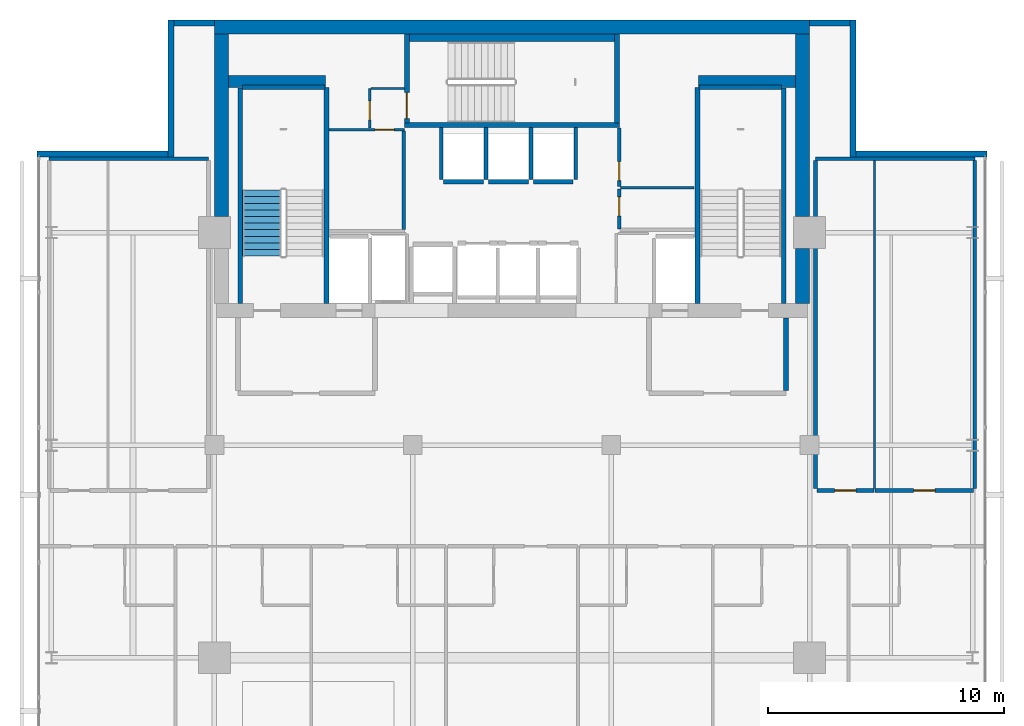
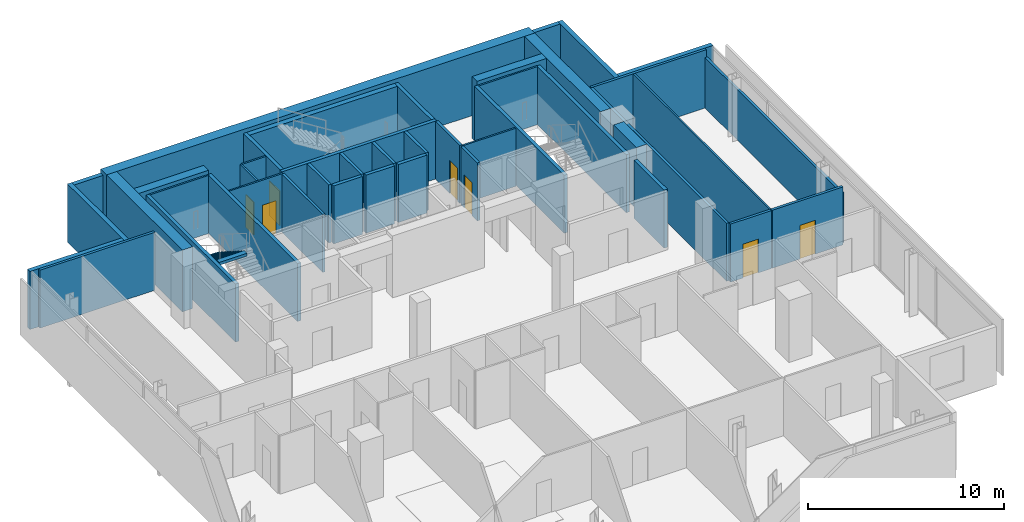
# One storey, part 19 of 24: 44 walls, 7 doors, 1 stair flight, 7 openings, 1 element without a shape of its own.
"""IFC4 building model written with IfcOpenShell, lengths in metres."""

from ifc_helpers import new_model, si_unit, direction, frame, frame_2d, origin, place, context, subcontext, project, spatial, polyline, rectangle, outline, extrude, material, layer, layer_set, type_object, element, fill, aggregate, save


model = new_model("IFC4")

# Units and contexts
model_context = context("Model", 3, precision=1e-05, world=origin(), true_north=direction((0.0, 1.0)))
body_context = subcontext(model_context, "Body", "Model", "MODEL_VIEW")
ifc_project = project(units=[si_unit("LENGTHUNIT", "METRE"), si_unit("AREAUNIT", "SQUARE_METRE"), si_unit("VOLUMEUNIT", "CUBIC_METRE"), si_unit("PLANEANGLEUNIT", "RADIAN"), si_unit("MASSUNIT", "GRAM", prefix="KILO")], contexts=[model_context])

# Site, building, storey
site_placement = place(None, origin())
site = spatial("IfcSite", under=ifc_project, at=site_placement, CompositionType="ELEMENT")
building_placement = place(site_placement, origin())
building = spatial("IfcBuilding", under=site, at=building_placement, Name="Maruvema Waterfront Hotel and Observation Tower", CompositionType="ELEMENT")
storey_placement = place(building_placement, frame((0.0, 0.0, 333.550048828125)))
storey = spatial("IfcBuildingStorey", under=building, at=storey_placement, Name="L82", CompositionType="ELEMENT", Elevation=333.550048828125)

# Wall
ifc_material_1 = material(Name="Twin-stud acoustic gypsum drywall", Category="gypsum")
ifc_layer_1 = layer(ifc_material_1, 0.14990234375, Name="Acoustic Corridor and Suite Demising Wall 150 mm")
ifc_layer_set_1 = layer_set([ifc_layer_1], Name="Twin-stud acoustic gypsum drywall")
wall_type_1 = type_object("IfcWallType", Name="Acoustic Corridor and Suite Demising Wall 150 mm", PredefinedType="PARTITIONING", material=ifc_layer_set_1)
wall_1_placement = place(storey_placement, frame((33.219970703125, 45.139892578125, 0.0), z_axis=(0.0, 0.0, 1.0), x_axis=(0.0, 1.0, 0.0)))
element("IfcWall", 1, at=wall_1_placement, inside=storey, type_object=wall_type_1, Name="L82 Freed B1 East Wall 013", PredefinedType="PARTITIONING", context=body_context, shape_type="SweptSolid", body=[
    extrude(rectangle(XDim=4.16015625, YDim=0.14990234375, at=frame_2d((2.080078125, 0.0))), origin(), (0.0, 0.0, 1.0), 3.60986328125),
])

# Wall, opening, door
wall_2_placement = place(storey_placement, frame((42.340087890625, 45.159912109375, 0.0), z_axis=(0.0, 0.0, 1.0), x_axis=(0.0, 1.0, 0.0)))
wall_2 = element("IfcWall", 2, at=wall_2_placement, inside=storey, type_object=wall_type_1, Name="L82 Freed B2 West S 017", PredefinedType="PARTITIONING", context=body_context, shape_type="SweptSolid", body=[
    extrude(rectangle(XDim=1.68017578125, YDim=0.14990234375, at=frame_2d((0.840087890625, 0.0))), origin(), (0.0, 0.0, 1.0), 3.60986328125),
])
opening_1_placement = place(wall_2_placement, frame((0.550048828125, 0.0, 0.0)))
opening_1 = element("IfcOpeningElement", 3, at=opening_1_placement, cuts=wall_2, Name="Opening DR-080", PredefinedType="OPENING", context=body_context, shape_type="SweptSolid", body=[
    extrude(rectangle(XDim=0.800048828125, YDim=2.050048828125, at=frame_2d((0.39990234375, 1.02490234375))), frame((0.0, 0.0849609375, 0.0), z_axis=(0.0, -1.0, 0.0), x_axis=(1.0, 0.0, 0.0)), (0.0, 0.0, 1.0), 0.169921875),
])
ifc_material_2 = material(Name="Powder-coated steel access leaf", Category="steel")
door_type_1 = type_object("IfcDoorType", Name="Riser and Service Cupboard Door 800x2050 mm", OperationType="NOTDEFINED", PredefinedType="DOOR", material=ifc_material_2)
door_1_placement = place(opening_1_placement, frame((0.800048828125, 0.0, 0.0), z_axis=(0.0, 0.0, 1.0), x_axis=(-1.0, 0.0, 0.0)))
door_1 = element("IfcDoor", 4, at=door_1_placement, inside=storey, type_object=door_type_1, Name="L82 Butler Service Pantry Door", OperationType="SINGLE_SWING_RIGHT", OverallHeight=2.050048828125, OverallWidth=0.800048828125, PredefinedType="DOOR", context=body_context, shape_type="SweptSolid", body=[
    extrude(rectangle(XDim=0.800048828125, YDim=2.050048828125, at=frame_2d((0.39990234375, 1.02490234375))), frame((0.0, 0.02490234375, 0.0), z_axis=(0.0, -1.0, 0.0), x_axis=(1.0, 0.0, 0.0)), (0.0, 0.0, 1.0), 0.050048828125),
])
fill(opening_1, door_1)

wall_3_placement = place(storey_placement, frame((42.340087890625, 46.9599609375, 0.0), z_axis=(0.0, 0.0, 1.0), x_axis=(0.0, 1.0, 0.0)))
wall_3 = element("IfcWall", 5, at=wall_3_placement, inside=storey, type_object=wall_type_1, Name="L82 Freed B2 West N 018", PredefinedType="PARTITIONING", context=body_context, shape_type="SweptSolid", body=[
    extrude(rectangle(XDim=2.4599609375, YDim=0.14990234375, at=frame_2d((1.22998046875, 0.0))), origin(), (0.0, 0.0, 1.0), 3.60986328125),
])
opening_2_placement = place(wall_3_placement, frame((0.239990234375, 0.0, 0.0)))
opening_2 = element("IfcOpeningElement", 6, at=opening_2_placement, cuts=wall_3, Name="Opening DR-080", PredefinedType="OPENING", context=body_context, shape_type="SweptSolid", body=[
    extrude(rectangle(XDim=0.800048828125, YDim=2.050048828125, at=frame_2d((0.39990234375, 1.02490234375))), frame((0.0, 0.0849609375, 0.0), z_axis=(0.0, -1.0, 0.0), x_axis=(1.0, 0.0, 0.0)), (0.0, 0.0, 1.0), 0.169921875),
])
door_2_placement = place(opening_2_placement, frame((0.800048828125, 0.0, 0.0), z_axis=(0.0, 0.0, 1.0), x_axis=(-1.0, 0.0, 0.0)))
door_2 = element("IfcDoor", 7, at=door_2_placement, inside=storey, type_object=door_type_1, Name="L82 Core IT and Linen Store Door", OperationType="SINGLE_SWING_LEFT", OverallHeight=2.050048828125, OverallWidth=0.800048828125, PredefinedType="DOOR", context=body_context, shape_type="SweptSolid", body=[
    extrude(rectangle(XDim=0.800048828125, YDim=2.050048828125, at=frame_2d((0.39990234375, 1.02490234375))), frame((0.0, 0.02490234375, 0.0), z_axis=(0.0, -1.0, 0.0), x_axis=(1.0, 0.0, 0.0)), (0.0, 0.0, 1.0), 0.050048828125),
])
fill(opening_2, door_2)

# Walls
for number, where, z_axis, x_axis, name in (
    (8, (18.199951171875, 48.125, 0.0), (0.0, 0.0, 1.0), (1.0, 0.0, 0.0), "L82 L82-Z4W Back Wall 021"),
    (9, (50.64990234375, 48.125, 0.0), (0.0, 0.0, 1.0), (1.0, 0.0, 0.0), "L82 L82-Z4E Back Wall 027"),
):
    element("IfcWall", number, at=place(storey_placement, frame(where, z_axis=z_axis, x_axis=x_axis)), inside=storey, type_object=wall_type_1, Name=name, PredefinedType="PARTITIONING", context=body_context, shape_type="SweptSolid", body=[
        extrude(rectangle(XDim=6.75, YDim=0.14990234375, at=frame_2d((3.375, 0.0))), origin(), (0.0, 0.0, 1.0), 3.60986328125),
    ])
wall_4_placement = place(storey_placement, frame((50.64990234375, 34.159912109375, 0.0), z_axis=(0.0, 0.0, 1.0), x_axis=(0.0, 1.0, 0.0)))
element("IfcWall", 10, at=wall_4_placement, inside=storey, type_object=wall_type_1, Name="L82 L82-Z4E West Wall 028", PredefinedType="PARTITIONING", context=body_context, shape_type="SweptSolid", body=[
    extrude(rectangle(XDim=13.885009765625, YDim=0.14990234375, at=frame_2d((6.9423828125, 0.0))), origin(), (0.0, 0.0, 1.0), 3.60986328125),
])
wall_5_placement = place(storey_placement, frame((57.39990234375, 34.159912109375, 0.0), z_axis=(0.0, 0.0, 1.0), x_axis=(0.0, 1.0, 0.0)))
element("IfcWall", 11, at=wall_5_placement, inside=storey, type_object=wall_type_1, Name="L82 L82-Z4E East Wall 029", PredefinedType="PARTITIONING", context=body_context, shape_type="SweptSolid", body=[
    extrude(rectangle(XDim=13.885009765625, YDim=0.14990234375, at=frame_2d((6.9423828125, 0.0))), origin(), (0.0, 0.0, 1.0), 3.140869140625),
])

# Wall, opening, door
wall_6_placement = place(storey_placement, frame((50.7099609375, 34.080078125, 0.0), z_axis=(0.0, 0.0, 1.0), x_axis=(1.0, 0.0, 0.0)))
wall_6 = element("IfcWall", 12, at=wall_6_placement, inside=storey, type_object=wall_type_1, Name="L82 L82-Z4E Front 1 030", PredefinedType="PARTITIONING", context=body_context, shape_type="SweptSolid", body=[
    extrude(rectangle(XDim=2.407470703125, YDim=0.14990234375, at=frame_2d((1.20361328125, 0.0))), origin(), (0.0, 0.0, 1.0), 3.60986328125),
])
opening_3_placement = place(wall_6_placement, frame((0.753662109375, 0.0, 0.0)))
opening_3 = element("IfcOpeningElement", 13, at=opening_3_placement, cuts=wall_6, Name="Opening DR-090", PredefinedType="OPENING", context=body_context, shape_type="SweptSolid", body=[
    extrude(rectangle(XDim=0.89990234375, YDim=2.10009765625, at=frame_2d((0.449951171875, 1.050048828125))), frame((0.0, 0.0849609375, 0.0), z_axis=(0.0, -1.0, 0.0), x_axis=(1.0, 0.0, 0.0)), (0.0, 0.0, 1.0), 0.169921875),
])
ifc_material_3 = material(Name="Solid-core lacquered timber leaf", Category="wood")
door_type_2 = type_object("IfcDoorType", Name="Accessible Toilet and Room Door 900x2100 mm", OperationType="NOTDEFINED", PredefinedType="DOOR", material=ifc_material_3)
door_3_placement = place(opening_3_placement, frame((0.89990234375, 0.0, 0.0), z_axis=(0.0, 0.0, 1.0), x_axis=(-1.0, 0.0, 0.0)))
door_3 = element("IfcDoor", 14, at=door_3_placement, inside=storey, type_object=door_type_2, Name="L82 Executive Meeting Salon 1 Door", OperationType="SINGLE_SWING_RIGHT", OverallHeight=2.10009765625, OverallWidth=0.89990234375, PredefinedType="DOOR", context=body_context, shape_type="SweptSolid", body=[
    extrude(rectangle(XDim=0.89990234375, YDim=2.10009765625, at=frame_2d((0.449951171875, 1.050048828125))), frame((0.0, 0.02490234375, 0.0), z_axis=(0.0, -1.0, 0.0), x_axis=(1.0, 0.0, 0.0)), (0.0, 0.0, 1.0), 0.050048828125),
])
fill(opening_3, door_3)

wall_7_placement = place(storey_placement, frame((53.177490234375, 34.080078125, 0.0), z_axis=(0.0, 0.0, 1.0), x_axis=(1.0, 0.0, 0.0)))
wall_7 = element("IfcWall", 15, at=wall_7_placement, inside=storey, type_object=wall_type_1, Name="L82 L82-Z4E Front 2 032", PredefinedType="PARTITIONING", context=body_context, shape_type="SweptSolid", body=[
    extrude(rectangle(XDim=4.16259765625, YDim=0.14990234375, at=frame_2d((2.081298828125, 0.0))), origin(), (0.0, 0.0, 1.0), 3.60986328125),
])
opening_4_placement = place(wall_7_placement, frame((1.63134765625, 0.0, 0.0)))
opening_4 = element("IfcOpeningElement", 16, at=opening_4_placement, cuts=wall_7, Name="Opening DR-090", PredefinedType="OPENING", context=body_context, shape_type="SweptSolid", body=[
    extrude(rectangle(XDim=0.89990234375, YDim=2.10009765625, at=frame_2d((0.449951171875, 1.050048828125))), frame((0.0, 0.0849609375, 0.0), z_axis=(0.0, -1.0, 0.0), x_axis=(1.0, 0.0, 0.0)), (0.0, 0.0, 1.0), 0.169921875),
])
door_4_placement = place(opening_4_placement, frame((0.89990234375, 0.0, 0.0), z_axis=(0.0, 0.0, 1.0), x_axis=(-1.0, 0.0, 0.0)))
door_4 = element("IfcDoor", 17, at=door_4_placement, inside=storey, type_object=door_type_2, Name="L82 Executive Meeting Salon 2 Door", OperationType="SINGLE_SWING_LEFT", OverallHeight=2.10009765625, OverallWidth=0.89990234375, PredefinedType="DOOR", context=body_context, shape_type="SweptSolid", body=[
    extrude(rectangle(XDim=0.89990234375, YDim=2.10009765625, at=frame_2d((0.449951171875, 1.050048828125))), frame((0.0, 0.02490234375, 0.0), z_axis=(0.0, -1.0, 0.0), x_axis=(1.0, 0.0, 0.0)), (0.0, 0.0, 1.0), 0.050048828125),
])
fill(opening_4, door_4)

# Walls
ifc_material_4 = material(Name="Precast concrete C45/55", Category="concrete")
ifc_layer_2 = layer(ifc_material_4, 0.300048828125, Name="Core Shaft Furring Wall 300 mm")
ifc_layer_set_2 = layer_set([ifc_layer_2], Name="Precast concrete C45/55")
wall_type_2 = type_object("IfcWallType", Name="Core Shaft Furring Wall 300 mm", PredefinedType="SOLIDWALL", material=ifc_layer_set_2)
wall_8_placement = place(storey_placement, frame((33.449951171875, 53.25, 0.0), z_axis=(0.0, 0.0, 1.0), x_axis=(1.0, 0.0, 0.0)))
element("IfcWall", 18, at=wall_8_placement, inside=storey, type_object=wall_type_2, Name="L82 Stairwell ST-02 North Furring Wall", PredefinedType="SOLIDWALL", context=body_context, shape_type="SweptSolid", body=[
    extrude(rectangle(XDim=8.699951171875, YDim=0.300048828125, at=frame_2d((4.35009765625, 0.0))), origin(), (0.0, 0.0, 1.0), 3.60986328125),
])
ifc_material_5 = material(Name="Precast concrete C45/55", Category="concrete")
ifc_layer_3 = layer(ifc_material_5, 0.199951171875, Name="Core Shaft and Stairwell Enclosure Wall 200 mm")
ifc_layer_set_3 = layer_set([ifc_layer_3], Name="Precast concrete C45/55")
wall_type_3 = type_object("IfcWallType", Name="Core Shaft and Stairwell Enclosure Wall 200 mm", PredefinedType="SOLIDWALL", material=ifc_layer_set_3)
wall_9_placement = place(storey_placement, frame((29.949951171875, 42.0, 0.0), z_axis=(0.0, 0.0, 1.0), x_axis=(0.0, 1.0, 0.0)))
element("IfcWall", 19, at=wall_9_placement, inside=storey, type_object=wall_type_3, Name="L82 Stairwell ST-01 East Shaft Wall", PredefinedType="SOLIDWALL", context=body_context, shape_type="SweptSolid", body=[
    extrude(rectangle(XDim=9.14990234375, YDim=0.199951171875, at=frame_2d((4.574951171875, 0.0))), origin(), (0.0, 0.0, 1.0), 3.60986328125),
])
wall_10_placement = place(storey_placement, frame((26.300048828125, 42.0, 0.0), z_axis=(0.0, 0.0, 1.0), x_axis=(0.0, 1.0, 0.0)))
element("IfcWall", 20, at=wall_10_placement, inside=storey, type_object=wall_type_3, Name="L82 Stairwell ST-01 Shaft Lining Wall", PredefinedType="SOLIDWALL", context=body_context, shape_type="SweptSolid", body=[
    extrude(rectangle(XDim=9.1201171875, YDim=0.199951171875, at=frame_2d((4.56005859375, 0.0))), origin(), (0.0, 0.0, 1.0), 3.60986328125),
])
wall_11_placement = place(storey_placement, frame((26.3798828125, 51.14990234375, 0.0), z_axis=(0.0, 0.0, 1.0), x_axis=(1.0, 0.0, 0.0)))
element("IfcWall", 21, at=wall_11_placement, inside=storey, type_object=wall_type_3, Name="L82 Stairwell ST-01 Shaft Lining Wall", PredefinedType="SOLIDWALL", context=body_context, shape_type="SweptSolid", body=[
    extrude(rectangle(XDim=3.5, YDim=0.199951171875, at=frame_2d((1.75, 0.0))), origin(), (0.0, 0.0, 1.0), 3.60986328125),
])
wall_12_placement = place(storey_placement, frame((33.25, 49.550048828125, 0.0), z_axis=(0.0, 0.0, 1.0), x_axis=(1.0, 0.0, 0.0)))
element("IfcWall", 22, at=wall_12_placement, inside=storey, type_object=wall_type_3, Name="L82 Stairwell ST-02 Shaft Wall", PredefinedType="SOLIDWALL", context=body_context, shape_type="SweptSolid", body=[
    extrude(rectangle(XDim=9.10009765625, YDim=0.199951171875, at=frame_2d((4.550048828125, 0.0))), origin(), (0.0, 0.0, 1.0), 3.60986328125),
])
wall_13_placement = place(storey_placement, frame((42.25, 49.64990234375, 0.0), z_axis=(0.0, 0.0, 1.0), x_axis=(0.0, 1.0, 0.0)))
element("IfcWall", 23, at=wall_13_placement, inside=storey, type_object=wall_type_3, Name="L82 Stairwell ST-02 Shaft Wall", PredefinedType="SOLIDWALL", context=body_context, shape_type="SweptSolid", body=[
    extrude(rectangle(XDim=3.75, YDim=0.199951171875, at=frame_2d((1.875, 0.0))), origin(), (0.0, 0.0, 1.0), 3.60986328125),
])

# Wall, opening, door
wall_14_placement = place(storey_placement, frame((33.35009765625, 49.64990234375, 0.0), z_axis=(0.0, 0.0, 1.0), x_axis=(0.0, 1.0, 0.0)))
wall_14 = element("IfcWall", 24, at=wall_14_placement, inside=storey, type_object=wall_type_3, Name="L82 Stairwell ST-02 Shaft Wall", PredefinedType="SOLIDWALL", context=body_context, shape_type="SweptSolid", body=[
    extrude(rectangle(XDim=3.75, YDim=0.199951171875, at=frame_2d((1.875, 0.0))), origin(), (0.0, 0.0, 1.0), 3.60986328125),
])
opening_5_placement = place(wall_14_placement, frame((0.179931640625, 0.0, 0.0)))
opening_5 = element("IfcOpeningElement", 25, at=opening_5_placement, cuts=wall_14, Name="Opening SD-02", PredefinedType="OPENING", context=body_context, shape_type="SweptSolid", body=[
    extrude(rectangle(XDim=1.10009765625, YDim=2.14990234375, at=frame_2d((0.550048828125, 1.074951171875))), frame((0.0, 0.10986328125, 0.0), z_axis=(0.0, -1.0, 0.0), x_axis=(1.0, 0.0, 0.0)), (0.0, 0.0, 1.0), 0.219970703125),
])
ifc_material_6 = material(Name="Fire-rated galvanised steel leaf", Category="steel")
door_type_3 = type_object("IfcDoorType", Name="Central Exit Stair Fire Door 1100x2150 mm", OperationType="NOTDEFINED", PredefinedType="DOOR", material=ifc_material_6)
door_5_placement = place(opening_5_placement, frame((1.10009765625, 0.0, 0.0), z_axis=(0.0, 0.0, 1.0), x_axis=(-1.0, 0.0, 0.0)))
door_5 = element("IfcDoor", 26, at=door_5_placement, inside=storey, type_object=door_type_3, Name="L82 Exit Stair ST-02 Fire Door", OperationType="SINGLE_SWING_LEFT", OverallHeight=2.14990234375, OverallWidth=1.10009765625, PredefinedType="DOOR", context=body_context, shape_type="SweptSolid", body=[
    extrude(rectangle(XDim=1.10009765625, YDim=2.14990234375, at=frame_2d((0.550048828125, 1.074951171875))), frame((0.0, 0.02490234375, 0.0), z_axis=(0.0, -1.0, 0.0), x_axis=(1.0, 0.0, 0.0)), (0.0, 0.0, 1.0), 0.050048828125),
])
fill(opening_5, door_5)

# Walls
wall_15_placement = place(storey_placement, frame((45.64990234375, 42.0, 0.0), z_axis=(0.0, 0.0, 1.0), x_axis=(0.0, 1.0, 0.0)))
element("IfcWall", 27, at=wall_15_placement, inside=storey, type_object=wall_type_3, Name="L82 Stairwell ST-03 West Shaft Wall", PredefinedType="SOLIDWALL", context=body_context, shape_type="SweptSolid", body=[
    extrude(rectangle(XDim=9.14990234375, YDim=0.199951171875, at=frame_2d((4.574951171875, 0.0))), origin(), (0.0, 0.0, 1.0), 3.60986328125),
])
wall_16_placement = place(storey_placement, frame((49.300048828125, 42.0, 0.0), z_axis=(0.0, 0.0, 1.0), x_axis=(0.0, 1.0, 0.0)))
element("IfcWall", 28, at=wall_16_placement, inside=storey, type_object=wall_type_3, Name="L82 Stairwell ST-03 Shaft Lining Wall", PredefinedType="SOLIDWALL", context=body_context, shape_type="SweptSolid", body=[
    extrude(rectangle(XDim=9.1201171875, YDim=0.199951171875, at=frame_2d((4.56005859375, 0.0))), origin(), (0.0, 0.0, 1.0), 3.60986328125),
])
wall_17_placement = place(storey_placement, frame((45.719970703125, 51.14990234375, 0.0), z_axis=(0.0, 0.0, 1.0), x_axis=(1.0, 0.0, 0.0)))
element("IfcWall", 29, at=wall_17_placement, inside=storey, type_object=wall_type_3, Name="L82 Stairwell ST-03 Shaft Lining Wall", PredefinedType="SOLIDWALL", context=body_context, shape_type="SweptSolid", body=[
    extrude(rectangle(XDim=3.5, YDim=0.199951171875, at=frame_2d((1.75, 0.0))), origin(), (0.0, 0.0, 1.0), 3.60986328125),
])
wall_18_placement = place(storey_placement, frame((34.909912109375, 47.14990234375, 0.0), z_axis=(0.0, 0.0, 1.0), x_axis=(1.0, 0.0, 0.0)))
element("IfcWall", 30, at=wall_18_placement, inside=storey, type_object=wall_type_3, Name="L82 Lift LF-12 Hoistway Front Wall", PredefinedType="SOLIDWALL", context=body_context, shape_type="SweptSolid", body=[
    extrude(rectangle(XDim=1.68017578125, YDim=0.199951171875, at=frame_2d((0.840087890625, 0.0))), origin(), (0.0, 0.0, 1.0), 3.60986328125),
])
for number, where, z_axis, x_axis, name in (
    (31, (36.81005859375, 47.14990234375, 0.0), (0.0, 0.0, 1.0), (1.0, 0.0, 0.0), "L82 Lift LF-13 Hoistway Front Wall"),
    (32, (38.7099609375, 47.14990234375, 0.0), (0.0, 0.0, 1.0), (1.0, 0.0, 0.0), "L82 Lift LF-14 Hoistway Front Wall"),
):
    element("IfcWall", number, at=place(storey_placement, frame(where, z_axis=z_axis, x_axis=x_axis)), inside=storey, type_object=wall_type_3, Name=name, PredefinedType="SOLIDWALL", context=body_context, shape_type="SweptSolid", body=[
        extrude(rectangle(XDim=1.679931640625, YDim=0.199951171875, at=frame_2d((0.83984375, 0.0))), origin(), (0.0, 0.0, 1.0), 3.60986328125),
    ])
ifc_material_7 = material(Name="Concrete C70/85", Category="concrete")
ifc_layer_4 = layer(ifc_material_7, 0.5, Name="Core Shear Wall 500 mm")
ifc_layer_set_4 = layer_set([ifc_layer_4], Name="Concrete C70/85")
wall_type_4 = type_object("IfcWallType", Name="Core Shear Wall 500 mm", PredefinedType="SHEAR", material=ifc_layer_set_4)
wall_19_placement = place(storey_placement, frame((25.800048828125, 51.39990234375, 0.0), z_axis=(0.0, 0.0, 1.0), x_axis=(1.0, 0.0, 0.0)))
element("IfcWall", 33, at=wall_19_placement, inside=storey, type_object=wall_type_4, Name="L82 Internal Core Shear Wall NW 500 mm", PredefinedType="SHEAR", context=body_context, shape_type="SweptSolid", body=[
    extrude(rectangle(XDim=4.099853515625, YDim=0.5, at=frame_2d((2.0498046875, 0.0))), origin(), (0.0, 0.0, 1.0), 3.849853515625),
])
wall_20_placement = place(storey_placement, frame((45.699951171875, 51.39990234375, 0.0), z_axis=(0.0, 0.0, 1.0), x_axis=(1.0, 0.0, 0.0)))
element("IfcWall", 34, at=wall_20_placement, inside=storey, type_object=wall_type_4, Name="L82 Internal Core Shear Wall NE 500 mm", PredefinedType="SHEAR", context=body_context, shape_type="SweptSolid", body=[
    extrude(rectangle(XDim=4.10009765625, YDim=0.5, at=frame_2d((2.050048828125, 0.0))), origin(), (0.0, 0.0, 1.0), 3.849853515625),
])
ifc_material_8 = material(Name="Concrete C60/75", Category="concrete")
ifc_layer_5 = layer(ifc_material_8, 0.60009765625, Name="Core Shear Wall 600 mm")
ifc_layer_set_5 = layer_set([ifc_layer_5], Name="Concrete C60/75")
wall_type_5 = type_object("IfcWallType", Name="Core Shear Wall 600 mm", PredefinedType="SHEAR", material=ifc_layer_set_5)
wall_21_placement = place(storey_placement, frame((25.199951171875, 53.699951171875, 0.0), z_axis=(0.0, 0.0, 1.0), x_axis=(1.0, 0.0, 0.0)))
element("IfcWall", 35, at=wall_21_placement, inside=storey, type_object=wall_type_5, Name="L82 North Core Shear Wall", PredefinedType="SHEAR", context=body_context, shape_type="SweptSolid", body=[
    extrude(rectangle(XDim=25.199951171875, YDim=0.60009765625, at=frame_2d((12.60009765625, 0.0))), origin(), (0.0, 0.0, 1.0), 3.849853515625),
])
wall_22_placement = place(storey_placement, frame((25.5, 45.675048828125, 0.0), z_axis=(0.0, 0.0, 1.0), x_axis=(0.0, 1.0, 0.0)))
element("IfcWall", 36, at=wall_22_placement, inside=storey, type_object=wall_type_5, Name="L82 West-North Core Shear Wall", PredefinedType="SHEAR", context=body_context, shape_type="SweptSolid", body=[
    extrude(rectangle(XDim=7.724853515625, YDim=0.60009765625, at=frame_2d((3.8623046875, 0.0))), origin(), (0.0, 0.0, 1.0), 3.849853515625),
])
wall_23_placement = place(storey_placement, frame((50.10009765625, 42.0, 0.0), z_axis=(0.0, 0.0, 1.0), x_axis=(0.0, 1.0, 0.0)))
element("IfcWall", 37, at=wall_23_placement, inside=storey, type_object=wall_type_5, Name="L82 East-South Core Shear Wall", PredefinedType="SHEAR", context=body_context, shape_type="SweptSolid", body=[
    extrude(rectangle(XDim=2.324951171875, YDim=0.60009765625, at=frame_2d((1.16259765625, 0.0))), origin(), (0.0, 0.0, 1.0), 3.849853515625),
])
wall_24_placement = place(storey_placement, frame((50.10009765625, 45.675048828125, 0.0), z_axis=(0.0, 0.0, 1.0), x_axis=(0.0, 1.0, 0.0)))
element("IfcWall", 38, at=wall_24_placement, inside=storey, type_object=wall_type_5, Name="L82 East-North Core Shear Wall", PredefinedType="SHEAR", context=body_context, shape_type="SweptSolid", body=[
    extrude(rectangle(XDim=7.724853515625, YDim=0.60009765625, at=frame_2d((3.8623046875, 0.0))), origin(), (0.0, 0.0, 1.0), 3.849853515625),
])

# Wall, opening, door
ifc_material_9 = material(Name="Moisture-resistant cement-board drywall", Category="gypsum")
ifc_layer_6 = layer(ifc_material_9, 0.10009765625, Name="En-Suite Moisture-Resistant Partition 100 mm")
ifc_layer_set_6 = layer_set([ifc_layer_6], Name="Moisture-resistant cement-board drywall")
wall_type_6 = type_object("IfcWallType", Name="En-Suite Moisture-Resistant Partition 100 mm", PredefinedType="PARTITIONING", material=ifc_layer_set_6)
wall_25_placement = place(storey_placement, frame((30.06005859375, 49.360107421875, 0.0), z_axis=(0.0, 0.0, 1.0), x_axis=(1.0, 0.0, 0.0)))
wall_25 = element("IfcWall", 39, at=wall_25_placement, inside=storey, type_object=wall_type_6, Name="L82 Freed B1 Mid Wall 014", PredefinedType="PARTITIONING", context=body_context, shape_type="SweptSolid", body=[
    extrude(rectangle(XDim=3.179931640625, YDim=0.10009765625, at=frame_2d((1.58984375, 0.0))), origin(), (0.0, 0.0, 1.0), 3.60986328125),
])
opening_6_placement = place(wall_25_placement, frame((1.949951171875, 0.0, 0.0)))
opening_6 = element("IfcOpeningElement", 40, at=opening_6_placement, cuts=wall_25, Name="Opening DR-080", PredefinedType="OPENING", context=body_context, shape_type="SweptSolid", body=[
    extrude(rectangle(XDim=0.800048828125, YDim=2.050048828125, at=frame_2d((0.39990234375, 1.02490234375))), frame((0.0, 0.06005859375, 0.0), z_axis=(0.0, -1.0, 0.0), x_axis=(1.0, 0.0, 0.0)), (0.0, 0.0, 1.0), 0.1201171875),
])
door_6_placement = place(opening_6_placement, origin())
door_6 = element("IfcDoor", 41, at=door_6_placement, inside=storey, type_object=door_type_1, Name="L82 Housekeeping and Linen Room Door", OperationType="SINGLE_SWING_RIGHT", OverallHeight=2.050048828125, OverallWidth=0.800048828125, PredefinedType="DOOR", context=body_context, shape_type="SweptSolid", body=[
    extrude(rectangle(XDim=0.800048828125, YDim=2.050048828125, at=frame_2d((0.39990234375, 1.02490234375))), frame((0.0, 0.02490234375, 0.0), z_axis=(0.0, -1.0, 0.0), x_axis=(1.0, 0.0, 0.0)), (0.0, 0.0, 1.0), 0.050048828125),
])
fill(opening_6, door_6)

wall_26_placement = place(storey_placement, frame((31.780029296875, 49.419921875, 0.0), z_axis=(0.0, 0.0, 1.0), x_axis=(0.0, 1.0, 0.0)))
wall_26 = element("IfcWall", 42, at=wall_26_placement, inside=storey, type_object=wall_type_6, Name="L82 Freed B1 NW East Wall 015", PredefinedType="PARTITIONING", context=body_context, shape_type="SweptSolid", body=[
    extrude(rectangle(XDim=1.68017578125, YDim=0.10009765625, at=frame_2d((0.840087890625, 0.0))), origin(), (0.0, 0.0, 1.0), 3.60986328125),
])
opening_7_placement = place(wall_26_placement, frame((0.35009765625, 0.0, 0.0)))
opening_7 = element("IfcOpeningElement", 43, at=opening_7_placement, cuts=wall_26, Name="Opening DR-080", PredefinedType="OPENING", context=body_context, shape_type="SweptSolid", body=[
    extrude(rectangle(XDim=0.800048828125, YDim=2.050048828125, at=frame_2d((0.39990234375, 1.02490234375))), frame((0.0, 0.06005859375, 0.0), z_axis=(0.0, -1.0, 0.0), x_axis=(1.0, 0.0, 0.0)), (0.0, 0.0, 1.0), 0.1201171875),
])
door_7_placement = place(opening_7_placement, origin())
door_7 = element("IfcDoor", 44, at=door_7_placement, inside=storey, type_object=door_type_1, Name="L82 Guest Floor Pantry Door", OperationType="SINGLE_SWING_LEFT", OverallHeight=2.050048828125, OverallWidth=0.800048828125, PredefinedType="DOOR", context=body_context, shape_type="SweptSolid", body=[
    extrude(rectangle(XDim=0.800048828125, YDim=2.050048828125, at=frame_2d((0.39990234375, 1.02490234375))), frame((0.0, 0.02490234375, 0.0), z_axis=(0.0, -1.0, 0.0), x_axis=(1.0, 0.0, 0.0)), (0.0, 0.0, 1.0), 0.050048828125),
])
fill(opening_7, door_7)

# Walls
wall_27_placement = place(storey_placement, frame((31.820068359375, 51.10009765625, 0.0), z_axis=(0.0, 0.0, 1.0), x_axis=(1.0, 0.0, 0.0)))
element("IfcWall", 45, at=wall_27_placement, inside=storey, type_object=wall_type_6, Name="L82 Freed B1 Vestibule North Wall 016", PredefinedType="PARTITIONING", context=body_context, shape_type="SweptSolid", body=[
    extrude(rectangle(XDim=1.419921875, YDim=0.10009765625, at=frame_2d((0.7099609375, 0.0))), origin(), (0.0, 0.0, 1.0), 3.60986328125),
])
wall_28_placement = place(storey_placement, frame((42.39990234375, 46.89990234375, 0.0), z_axis=(0.0, 0.0, 1.0), x_axis=(1.0, 0.0, 0.0)))
element("IfcWall", 46, at=wall_28_placement, inside=storey, type_object=wall_type_6, Name="L82 Freed B2 Split 019", PredefinedType="PARTITIONING", context=body_context, shape_type="SweptSolid", body=[
    extrude(rectangle(XDim=3.10009765625, YDim=0.10009765625, at=frame_2d((1.550048828125, 0.0))), origin(), (0.0, 0.0, 1.0), 3.60986328125),
])
wall_29_placement = place(storey_placement, frame((53.1474609375, 34.159912109375, 0.0), z_axis=(0.0, 0.0, 1.0), x_axis=(0.0, 1.0, 0.0)))
element("IfcWall", 47, at=wall_29_placement, inside=storey, type_object=wall_type_6, Name="L82 L82-Z4E Split 1 031", PredefinedType="PARTITIONING", context=body_context, shape_type="SweptSolid", body=[
    extrude(rectangle(XDim=13.885009765625, YDim=0.10009765625, at=frame_2d((6.9423828125, 0.0))), origin(), (0.0, 0.0, 1.0), 3.60986328125),
])
ifc_material_10 = material(Name="Precast concrete C45/55 with honed Pernambuco granite facing", Category="masonry")
ifc_layer_7 = layer(ifc_material_10, 0.260009765625, Name="Exterior Granite Clad Spandrel and Pier Wall 260 mm")
ifc_layer_set_7 = layer_set([ifc_layer_7], Name="Precast concrete C45/55 with honed Pernambuco granite facing")
wall_type_7 = type_object("IfcWallType", Name="Exterior Granite Clad Spandrel and Pier Wall 260 mm", PredefinedType="SOLIDWALL", material=ifc_layer_set_7)
wall_30_placement = place(storey_placement, frame((52.22998046875, 54.0, 0.0), z_axis=(0.0, 0.0, 1.0), x_axis=(0.0, -1.0, 0.0)))
element("IfcWall", 48, at=wall_30_placement, inside=storey, type_object=wall_type_7, Name="L82 Corner Notch Granite Pier Wall NE1", PredefinedType="SOLIDWALL", context=body_context, shape_type="SweptSolid", body=[
    extrude(rectangle(XDim=5.800048828125, YDim=0.260009765625, at=frame_2d((2.89990234375, 0.0))), origin(), (0.0, 0.0, 1.0), 3.60986328125),
])
wall_31_placement = place(storey_placement, frame((52.10009765625, 48.330078125, 0.0), z_axis=(0.0, 0.0, 1.0), x_axis=(1.0, 0.0, 0.0)))
element("IfcWall", 49, at=wall_31_placement, inside=storey, type_object=wall_type_7, Name="L82 Corner Notch Granite Pier Wall NE2", PredefinedType="SOLIDWALL", context=body_context, shape_type="SweptSolid", body=[
    extrude(rectangle(XDim=5.7998046875, YDim=0.260009765625, at=frame_2d((2.89990234375, 0.0))), origin(), (0.0, 0.0, 1.0), 3.60986328125),
])
for number, where, z_axis, x_axis, name in (
    (50, (23.3701171875, 48.199951171875, 0.0), (0.0, 0.0, 1.0), (0.0, 1.0, 0.0), "L82 Corner Notch Granite Pier Wall NW1"),
    (51, (17.699951171875, 48.330078125, 0.0), (0.0, 0.0, 1.0), (1.0, 0.0, 0.0), "L82 Corner Notch Granite Pier Wall NW2"),
):
    element("IfcWall", number, at=place(storey_placement, frame(where, z_axis=z_axis, x_axis=x_axis)), inside=storey, type_object=wall_type_7, Name=name, PredefinedType="SOLIDWALL", context=body_context, shape_type="SweptSolid", body=[
        extrude(rectangle(XDim=5.800048828125, YDim=0.260009765625, at=frame_2d((2.89990234375, 0.0))), origin(), (0.0, 0.0, 1.0), 3.60986328125),
    ])
wall_32_placement = place(storey_placement, frame((25.199951171875, 53.8701171875, 0.0), z_axis=(0.0, 0.0, 1.0), x_axis=(-1.0, 0.0, 0.0)))
element("IfcWall", 52, at=wall_32_placement, inside=storey, type_object=wall_type_7, Name="L82 North-West Core Flanking Pier Wall", PredefinedType="SOLIDWALL", context=body_context, shape_type="SweptSolid", body=[
    extrude(rectangle(XDim=1.699951171875, YDim=0.260009765625, at=frame_2d((0.85009765625, 0.0))), origin(), (0.0, 0.0, 1.0), 3.60986328125),
])
wall_33_placement = place(storey_placement, frame((52.10009765625, 53.8701171875, 0.0), z_axis=(0.0, 0.0, 1.0), x_axis=(-1.0, 0.0, 0.0)))
element("IfcWall", 53, at=wall_33_placement, inside=storey, type_object=wall_type_7, Name="L82 North-East Core Flanking Pier Wall", PredefinedType="SOLIDWALL", context=body_context, shape_type="SweptSolid", body=[
    extrude(rectangle(XDim=1.7001953125, YDim=0.260009765625, at=frame_2d((0.85009765625, 0.0))), origin(), (0.0, 0.0, 1.0), 3.60986328125),
])
ifc_material_11 = material(Name="Autoclaved cellular concrete blockwork", Category="masonry")
ifc_layer_8 = layer(ifc_material_11, 0.199951171875, Name="Fire Compartment Masonry Wall 200 mm")
ifc_layer_set_8 = layer_set([ifc_layer_8], Name="Autoclaved cellular concrete blockwork")
wall_type_8 = type_object("IfcWallType", Name="Fire Compartment Masonry Wall 200 mm", PredefinedType="PARTITIONING", material=ifc_layer_set_8)
wall_34_placement = place(storey_placement, frame((49.39990234375, 38.31005859375, 0.0), z_axis=(0.0, 0.0, 1.0), x_axis=(0.0, 1.0, 0.0)))
element("IfcWall", 54, at=wall_34_placement, inside=storey, type_object=wall_type_8, Name="L82 FFL East East Wall 006", PredefinedType="PARTITIONING", context=body_context, shape_type="SweptSolid", body=[
    extrude(rectangle(XDim=3.06982421875, YDim=0.199951171875, at=frame_2d((1.534912109375, 0.0))), origin(), (0.0, 0.0, 1.0), 3.60986328125),
])
ifc_material_12 = material(Name="Precast concrete C45/55", Category="concrete")
ifc_layer_9 = layer(ifc_material_12, 0.159912109375, Name="Lift Hoistway Divider Wall 160 mm")
ifc_layer_set_9 = layer_set([ifc_layer_9], Name="Precast concrete C45/55")
wall_type_9 = type_object("IfcWallType", Name="Lift Hoistway Divider Wall 160 mm", PredefinedType="SOLIDWALL", material=ifc_layer_set_9)
for number, where, z_axis, x_axis, name in (
    (55, (34.800048828125, 47.25, 0.0), (0.0, 0.0, 1.0), (0.0, 1.0, 0.0), "L82 Hoistway Divider Wall"),
    (56, (36.699951171875, 47.25, 0.0), (0.0, 0.0, 1.0), (0.0, 1.0, 0.0), "L82 Hoistway Divider Wall"),
    (57, (38.60009765625, 47.25, 0.0), (0.0, 0.0, 1.0), (0.0, 1.0, 0.0), "L82 Hoistway Divider Wall"),
    (58, (40.5, 47.25, 0.0), (0.0, 0.0, 1.0), (0.0, 1.0, 0.0), "L82 Hoistway Divider Wall"),
):
    element("IfcWall", number, at=place(storey_placement, frame(where, z_axis=z_axis, x_axis=x_axis)), inside=storey, type_object=wall_type_9, Name=name, PredefinedType="SOLIDWALL", context=body_context, shape_type="SweptSolid", body=[
        extrude(rectangle(XDim=2.18994140625, YDim=0.159912109375, at=frame_2d((1.094970703125, 0.0))), origin(), (0.0, 0.0, 1.0), 3.60986328125),
    ])

# Stair, stair flight
ifc_material_13 = material(Name="Concrete C50/60", Category="concrete")
stair_type = type_object("IfcStairType", Name="Dogleg Exit Stair 1650 mm (22R x 175.0 mm)", PredefinedType="HALF_TURN_STAIR", material=ifc_material_13)
stair_placement = place(storey_placement, origin())
stair = element("IfcStair", 59, at=stair_placement, inside=storey, type_object=stair_type, Name="L82 ST-01", PredefinedType="HALF_TURN_STAIR")
ifc_material_14 = material(Name="Concrete C50/60", Category="concrete")
stair_flight_type = type_object("IfcStairFlightType", Name="Reinforced Concrete Stair Flight 1650 mm (11R x 175.0 mm)", PredefinedType="STRAIGHT", material=ifc_material_14)
stair_flight_placement = place(storey_placement, frame((27.22509765625, 46.800048828125, 1.925048828125), z_axis=(0.0, 0.0, 1.0), x_axis=(0.0, -1.0, 0.0)))
stair_flight = element("IfcStairFlight", 60, at=stair_flight_placement, type_object=stair_flight_type, Name="ST-01 flight 2", NumberOfRisers=11, NumberOfTreads=10, PredefinedType="STRAIGHT", RiserHeight=0.175, TreadLength=0.28, context=body_context, shape_type="SweptSolid", body=[
    extrude(outline(polyline([(0.0, 0.0), (0.0, 0.175048828125), (0.280029296875, 0.175048828125), (0.280029296875, 0.35009765625), (0.56005859375, 0.35009765625), (0.56005859375, 0.52490234375), (0.840087890625, 0.52490234375), (0.840087890625, 0.699951171875), (1.1201171875, 0.699951171875), (1.1201171875, 0.875), (1.39990234375, 0.875), (1.39990234375, 1.050048828125), (1.679931640625, 1.050048828125), (1.679931640625, 1.22509765625), (1.9599609375, 1.22509765625), (1.9599609375, 1.39990234375), (2.239990234375, 1.39990234375), (2.239990234375, 1.574951171875), (2.52001953125, 1.574951171875), (2.52001953125, 1.75), (2.800048828125, 1.75), (2.800048828125, 1.925048828125), (2.800048828125, 1.5732421875), (0.28271484375, 0.0), (0.0, 0.0)])), frame((0.0, 0.824951171875, 0.0), z_axis=(0.0, -1.0, 0.0), x_axis=(1.0, 0.0, 0.0)), (0.0, 0.0, 1.0), 1.64990234375),
])
aggregate(stair, [stair_flight])

save(model, "model.ifc")
